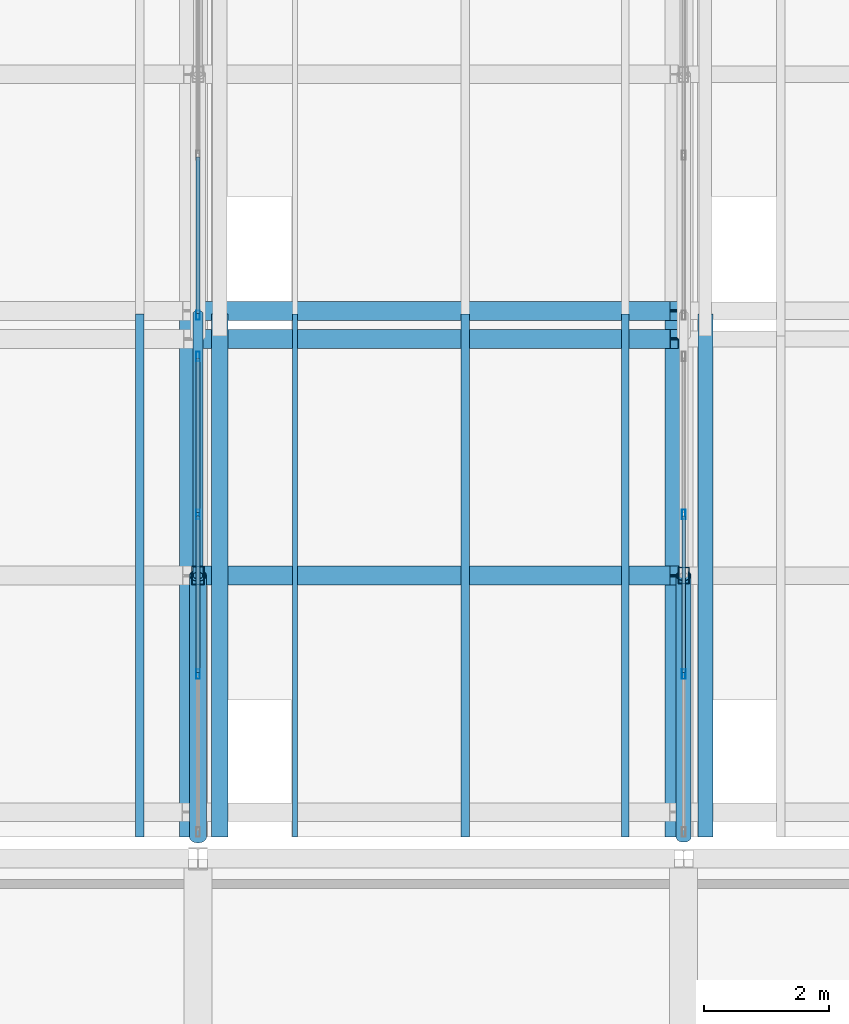
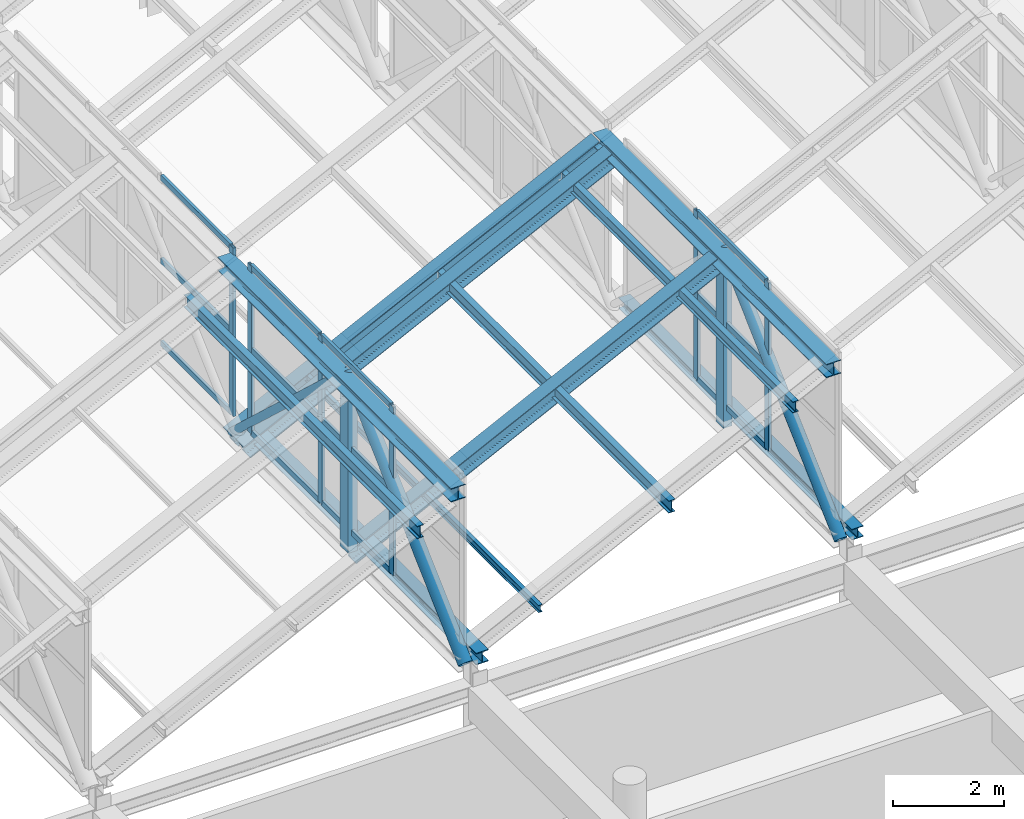
# One storey, part 33 of 101: 34 members, 3 elements without a shape of their own.
"""IFC4 building model written with IfcOpenShell, lengths in metres."""

from ifc_helpers import new_model, si_unit, direction, frame, origin, origin_2d, place, context, subcontext, project, spatial, hollow_rectangle, hollow_circle, i_section, extrude, material, layer, layer_set, material_profile, profile_set, type_object, element, aggregate, save


model = new_model("IFC4")

# Units and contexts
model_context = context("Model", 3, precision=1e-05, world=origin(), true_north=direction((0.0, 1.0)))
body_context = subcontext(model_context, "Body", "Model", "MODEL_VIEW")
ifc_project = project(units=[si_unit("LENGTHUNIT", "METRE"), si_unit("AREAUNIT", "SQUARE_METRE"), si_unit("VOLUMEUNIT", "CUBIC_METRE"), si_unit("PLANEANGLEUNIT", "RADIAN"), si_unit("MASSUNIT", "GRAM", prefix="KILO")], contexts=[model_context])

# Site, building, storey
site_placement = place(None, origin())
site = spatial("IfcSite", under=ifc_project, at=site_placement, CompositionType="ELEMENT")
building_placement = place(site_placement, origin())
building = spatial("IfcBuilding", under=site, at=building_placement, Name="Zizhar Promenade General Hospital", CompositionType="ELEMENT")
storey_placement = place(building_placement, frame((0.0, 0.0, 14.39990234375)))
storey = spatial("IfcBuildingStorey", under=building, at=storey_placement, Name="L03", CompositionType="ELEMENT", Elevation=14.39990234375)

# Curtain wall, members
ifc_material_1 = material(Name="Anodised aluminium 6063-T6 and low-E glass", Category="aluminium")
ifc_layer_1 = layer(ifc_material_1, 0.159912109375)
ifc_layer_set_1 = layer_set([ifc_layer_1], Name="Anodised aluminium 6063-T6 and low-E glass")
curtain_wall_type_1 = type_object("IfcCurtainWallType", Name="CW-SAW-NL1", PredefinedType="NOTDEFINED", material=ifc_layer_set_1)
curtain_wall_1_placement = place(storey_placement, origin())
curtain_wall_1 = element("IfcCurtainWall", 1, at=curtain_wall_1_placement, inside=storey, type_object=curtain_wall_type_1, Name="Sawtooth Clerestory Light B5-S1", PredefinedType="NOTDEFINED")
ifc_material_2 = material(Name="Anodised aluminium 6063-T6", Category="aluminium")
ifc_material_profile_1 = material_profile(ifc_material_2, hollow_rectangle(XDim=0.06005859375, YDim=0.14990234375, WallThickness=0.00390625, at=origin_2d()))
ifc_profile_set_1 = profile_set([ifc_material_profile_1], Name="Anodised aluminium 6063-T6")
member_type_1 = type_object("IfcMemberType", Name="CWM-ALU-150x60", PredefinedType="MULLION", material=ifc_profile_set_1)
member_1_placement = place(storey_placement, frame((109.199951171875, 28.166748046875, 3.85009765625), z_axis=(0.0, 0.0, 1.0), x_axis=(-1.0, 0.0, 0.0)))
member_1 = element("IfcMember", 2, at=member_1_placement, type_object=member_type_1, Name="CW-03 mullion 2", PredefinedType="MULLION", context=body_context, shape_type="SweptSolid", body=[
    extrude(hollow_rectangle(XDim=0.06005859375, YDim=0.14990234375, WallThickness=0.00390625, at=origin_2d()), origin(), (0.0, 0.0, 1.0), 3.699951171875),
])
member_2_placement = place(storey_placement, frame((109.199951171875, 30.7333984375, 3.85009765625), z_axis=(0.0, 0.0, 1.0), x_axis=(-1.0, 0.0, 0.0)))
member_2 = element("IfcMember", 3, at=member_2_placement, type_object=member_type_1, Name="CW-03 mullion 3", PredefinedType="MULLION", context=body_context, shape_type="SweptSolid", body=[
    extrude(hollow_rectangle(XDim=0.06005859375, YDim=0.14990234375, WallThickness=0.00390625, at=origin_2d()), origin(), (0.0, 0.0, 1.0), 3.699951171875),
])
member_3_placement = place(storey_placement, frame((109.199951171875, 33.27001953125, 3.85009765625), z_axis=(0.0, 0.0, 1.0), x_axis=(-1.0, 0.0, 0.0)))
member_3 = element("IfcMember", 4, at=member_3_placement, type_object=member_type_1, Name="CW-03 mullion 4", PredefinedType="MULLION", context=body_context, shape_type="SweptSolid", body=[
    extrude(hollow_rectangle(XDim=0.06005859375, YDim=0.14990234375, WallThickness=0.00390625, at=origin_2d()), origin(), (0.0, 0.0, 1.0), 3.699951171875),
])

# Curtain wall, member
ifc_material_3 = material(Name="Anodised aluminium 6063-T6 and low-E glass", Category="aluminium")
ifc_layer_2 = layer(ifc_material_3, 0.159912109375)
ifc_layer_set_2 = layer_set([ifc_layer_2], Name="Anodised aluminium 6063-T6 and low-E glass")
curtain_wall_type_2 = type_object("IfcCurtainWallType", Name="CW-SAW-NL2", PredefinedType="NOTDEFINED", material=ifc_layer_set_2)
curtain_wall_2_placement = place(storey_placement, origin())
curtain_wall_2 = element("IfcCurtainWall", 5, at=curtain_wall_2_placement, inside=storey, type_object=curtain_wall_type_2, Name="Sawtooth Clerestory Light B5-S2", PredefinedType="NOTDEFINED")
member_4_placement = place(storey_placement, frame((109.199951171875, 33.929931640625, 3.85009765625), z_axis=(0.0, 0.0, 1.0), x_axis=(-1.0, 0.0, 0.0)))
member_4 = element("IfcMember", 6, at=member_4_placement, type_object=member_type_1, Name="CW-04 mullion 1", PredefinedType="MULLION", context=body_context, shape_type="SweptSolid", body=[
    extrude(hollow_rectangle(XDim=0.06005859375, YDim=0.14990234375, WallThickness=0.00390625, at=origin_2d()), origin(), (0.0, 0.0, 1.0), 3.699951171875),
])

# Curtain wall, members
curtain_wall_3_placement = place(storey_placement, origin())
curtain_wall_3 = element("IfcCurtainWall", 7, at=curtain_wall_3_placement, inside=storey, type_object=curtain_wall_type_1, Name="Sawtooth Clerestory Light B6-S1", PredefinedType="NOTDEFINED")
member_5_placement = place(storey_placement, frame((117.0, 28.166748046875, 3.85009765625), z_axis=(0.0, 0.0, 1.0), x_axis=(-1.0, 0.0, 0.0)))
member_5 = element("IfcMember", 8, at=member_5_placement, type_object=member_type_1, Name="CW-03 mullion 2", PredefinedType="MULLION", context=body_context, shape_type="SweptSolid", body=[
    extrude(hollow_rectangle(XDim=0.06005859375, YDim=0.14990234375, WallThickness=0.00390625, at=origin_2d()), origin(), (0.0, 0.0, 1.0), 3.699951171875),
])
member_6_placement = place(storey_placement, frame((117.0, 30.7333984375, 3.85009765625), z_axis=(0.0, 0.0, 1.0), x_axis=(-1.0, 0.0, 0.0)))
member_6 = element("IfcMember", 9, at=member_6_placement, type_object=member_type_1, Name="CW-03 mullion 3", PredefinedType="MULLION", context=body_context, shape_type="SweptSolid", body=[
    extrude(hollow_rectangle(XDim=0.06005859375, YDim=0.14990234375, WallThickness=0.00390625, at=origin_2d()), origin(), (0.0, 0.0, 1.0), 3.699951171875),
])

# Member
ifc_material_4 = material(Name="Anodised aluminium 6063-T6", Category="aluminium")
ifc_material_profile_2 = material_profile(ifc_material_4, hollow_rectangle(XDim=0.06005859375, YDim=0.1201171875, WallThickness=0.00390625, at=origin_2d()))
ifc_profile_set_2 = profile_set([ifc_material_profile_2], Name="Anodised aluminium 6063-T6")
member_type_2 = type_object("IfcMemberType", Name="CWT-ALU-120x60", PredefinedType="USERDEFINED", material=ifc_profile_set_2)
member_7_placement = place(storey_placement, frame((109.199951171875, 28.19677734375, 3.880126953125), z_axis=(0.0, 1.0, 0.0), x_axis=(-1.0, 0.0, 0.0)))
member_7 = element("IfcMember", 10, at=member_7_placement, type_object=member_type_2, Name="CW-03 transom 2.1", ObjectType="TRANSOM", PredefinedType="USERDEFINED", context=body_context, shape_type="SweptSolid", body=[
    extrude(hollow_rectangle(XDim=0.06005859375, YDim=0.1201171875, WallThickness=0.00390625, at=origin_2d()), origin(), (0.0, 0.0, 1.0), 2.506591796875),
])

member_8_placement = place(storey_placement, frame((109.199951171875, 28.19677734375, 5.7001953125), z_axis=(0.0, 1.0, 0.0), x_axis=(-1.0, 0.0, 0.0)))
member_8 = element("IfcMember", 11, at=member_8_placement, type_object=member_type_2, Name="CW-03 transom 2.2", ObjectType="TRANSOM", PredefinedType="USERDEFINED", context=body_context, shape_type="SweptSolid", body=[
    extrude(hollow_rectangle(XDim=0.06005859375, YDim=0.1201171875, WallThickness=0.00390625, at=origin_2d()), origin(), (0.0, 0.0, 1.0), 2.506591796875),
])

member_9_placement = place(storey_placement, frame((109.199951171875, 28.19677734375, 7.52001953125), z_axis=(0.0, 1.0, 0.0), x_axis=(-1.0, 0.0, 0.0)))
member_9 = element("IfcMember", 12, at=member_9_placement, type_object=member_type_2, Name="CW-03 transom 2.3", ObjectType="TRANSOM", PredefinedType="USERDEFINED", context=body_context, shape_type="SweptSolid", body=[
    extrude(hollow_rectangle(XDim=0.06005859375, YDim=0.1201171875, WallThickness=0.00390625, at=origin_2d()), origin(), (0.0, 0.0, 1.0), 2.506591796875),
])

member_10_placement = place(storey_placement, frame((109.199951171875, 30.763427734375, 3.880126953125), z_axis=(0.0, 1.0, 0.0), x_axis=(-1.0, 0.0, 0.0)))
member_10 = element("IfcMember", 13, at=member_10_placement, type_object=member_type_2, Name="CW-03 transom 3.1", ObjectType="TRANSOM", PredefinedType="USERDEFINED", context=body_context, shape_type="SweptSolid", body=[
    extrude(hollow_rectangle(XDim=0.06005859375, YDim=0.1201171875, WallThickness=0.00390625, at=origin_2d()), origin(), (0.0, 0.0, 1.0), 2.4765625),
])

member_11_placement = place(storey_placement, frame((109.199951171875, 30.763427734375, 5.7001953125), z_axis=(0.0, 1.0, 0.0), x_axis=(-1.0, 0.0, 0.0)))
member_11 = element("IfcMember", 14, at=member_11_placement, type_object=member_type_2, Name="CW-03 transom 3.2", ObjectType="TRANSOM", PredefinedType="USERDEFINED", context=body_context, shape_type="SweptSolid", body=[
    extrude(hollow_rectangle(XDim=0.06005859375, YDim=0.1201171875, WallThickness=0.00390625, at=origin_2d()), origin(), (0.0, 0.0, 1.0), 2.4765625),
])

member_12_placement = place(storey_placement, frame((109.199951171875, 30.763427734375, 7.52001953125), z_axis=(0.0, 1.0, 0.0), x_axis=(-1.0, 0.0, 0.0)))
member_12 = element("IfcMember", 15, at=member_12_placement, type_object=member_type_2, Name="CW-03 transom 3.3", ObjectType="TRANSOM", PredefinedType="USERDEFINED", context=body_context, shape_type="SweptSolid", body=[
    extrude(hollow_rectangle(XDim=0.06005859375, YDim=0.1201171875, WallThickness=0.00390625, at=origin_2d()), origin(), (0.0, 0.0, 1.0), 2.4765625),
])

aggregate(curtain_wall_1, [member_1, member_2, member_3, member_7, member_8, member_9, member_10, member_11, member_12])

member_13_placement = place(storey_placement, frame((109.199951171875, 33.9599609375, 3.880126953125), z_axis=(0.0, 1.0, 0.0), x_axis=(-1.0, 0.0, 0.0)))
member_13 = element("IfcMember", 16, at=member_13_placement, type_object=member_type_2, Name="CW-04 transom 1.1", ObjectType="TRANSOM", PredefinedType="USERDEFINED", context=body_context, shape_type="SweptSolid", body=[
    extrude(hollow_rectangle(XDim=0.06005859375, YDim=0.1201171875, WallThickness=0.00390625, at=origin_2d()), origin(), (0.0, 0.0, 1.0), 2.510009765625),
])

member_14_placement = place(storey_placement, frame((109.199951171875, 33.9599609375, 5.7001953125), z_axis=(0.0, 1.0, 0.0), x_axis=(-1.0, 0.0, 0.0)))
member_14 = element("IfcMember", 17, at=member_14_placement, type_object=member_type_2, Name="CW-04 transom 1.2", ObjectType="TRANSOM", PredefinedType="USERDEFINED", context=body_context, shape_type="SweptSolid", body=[
    extrude(hollow_rectangle(XDim=0.06005859375, YDim=0.1201171875, WallThickness=0.00390625, at=origin_2d()), origin(), (0.0, 0.0, 1.0), 2.510009765625),
])

member_15_placement = place(storey_placement, frame((109.199951171875, 33.9599609375, 7.52001953125), z_axis=(0.0, 1.0, 0.0), x_axis=(-1.0, 0.0, 0.0)))
member_15 = element("IfcMember", 18, at=member_15_placement, type_object=member_type_2, Name="CW-04 transom 1.3", ObjectType="TRANSOM", PredefinedType="USERDEFINED", context=body_context, shape_type="SweptSolid", body=[
    extrude(hollow_rectangle(XDim=0.06005859375, YDim=0.1201171875, WallThickness=0.00390625, at=origin_2d()), origin(), (0.0, 0.0, 1.0), 2.510009765625),
])

aggregate(curtain_wall_2, [member_4, member_13, member_14, member_15])

member_16_placement = place(storey_placement, frame((117.0, 28.19677734375, 3.880126953125), z_axis=(0.0, 1.0, 0.0), x_axis=(-1.0, 0.0, 0.0)))
member_16 = element("IfcMember", 19, at=member_16_placement, type_object=member_type_2, Name="CW-03 transom 2.1", ObjectType="TRANSOM", PredefinedType="USERDEFINED", context=body_context, shape_type="SweptSolid", body=[
    extrude(hollow_rectangle(XDim=0.06005859375, YDim=0.1201171875, WallThickness=0.00390625, at=origin_2d()), origin(), (0.0, 0.0, 1.0), 2.506591796875),
])

member_17_placement = place(storey_placement, frame((117.0, 28.19677734375, 5.7001953125), z_axis=(0.0, 1.0, 0.0), x_axis=(-1.0, 0.0, 0.0)))
member_17 = element("IfcMember", 20, at=member_17_placement, type_object=member_type_2, Name="CW-03 transom 2.2", ObjectType="TRANSOM", PredefinedType="USERDEFINED", context=body_context, shape_type="SweptSolid", body=[
    extrude(hollow_rectangle(XDim=0.06005859375, YDim=0.1201171875, WallThickness=0.00390625, at=origin_2d()), origin(), (0.0, 0.0, 1.0), 2.506591796875),
])

member_18_placement = place(storey_placement, frame((117.0, 28.19677734375, 7.52001953125), z_axis=(0.0, 1.0, 0.0), x_axis=(-1.0, 0.0, 0.0)))
member_18 = element("IfcMember", 21, at=member_18_placement, type_object=member_type_2, Name="CW-03 transom 2.3", ObjectType="TRANSOM", PredefinedType="USERDEFINED", context=body_context, shape_type="SweptSolid", body=[
    extrude(hollow_rectangle(XDim=0.06005859375, YDim=0.1201171875, WallThickness=0.00390625, at=origin_2d()), origin(), (0.0, 0.0, 1.0), 2.506591796875),
])

aggregate(curtain_wall_3, [member_5, member_6, member_16, member_17, member_18])

# Members
ifc_material_5 = material(Name="Steel S355", Category="steel")
ifc_material_profile_3 = material_profile(ifc_material_5, i_section(OverallWidth=0.239990234375, OverallDepth=0.239990234375, WebThickness=0.010009765625, FlangeThickness=0.01708984375, FilletRadius=0.02099609375, at=origin_2d()))
ifc_profile_set_3 = profile_set([ifc_material_profile_3], Name="Steel S355")
member_type_3 = type_object("IfcMemberType", Name="MEM-CHORD-HEB240", PredefinedType="CHORD", material=ifc_profile_set_3)
member_19_placement = place(storey_placement, frame((117.35009765625, 25.550048828125, 3.47021484375), z_axis=(0.0, 1.0, 0.0), x_axis=(-1.0, 0.0, 0.0)))
element("IfcMember", 22, at=member_19_placement, inside=storey, type_object=member_type_3, Name="Sawtooth Bay 7 Valley Tie 1", PredefinedType="CHORD", context=body_context, shape_type="SweptSolid", body=[
    extrude(i_section(OverallWidth=0.239990234375, OverallDepth=0.239990234375, WebThickness=0.010009765625, FlangeThickness=0.01708984375, FilletRadius=0.02099609375, at=origin_2d()), origin(), (0.0, 0.0, 1.0), 8.39990234375),
])
ifc_material_6 = material(Name="Steel S355", Category="steel")
ifc_material_profile_4 = material_profile(ifc_material_6, i_section(OverallWidth=0.260009765625, OverallDepth=0.260009765625, WebThickness=0.010009765625, FlangeThickness=0.017578125, FilletRadius=0.02392578125, at=origin_2d()))
ifc_profile_set_4 = profile_set([ifc_material_profile_4], Name="Steel S355")
member_type_4 = type_object("IfcMemberType", Name="MEM-CHORD-HEB260", PredefinedType="CHORD", material=ifc_profile_set_4)
member_20_placement = place(storey_placement, frame((109.550048828125, 25.550048828125, 3.47021484375), z_axis=(0.0, 1.0, 0.0), x_axis=(-1.0, 0.0, 0.0)))
element("IfcMember", 23, at=member_20_placement, inside=storey, type_object=member_type_4, Name="Sawtooth Bay 6 Valley Tie 1", PredefinedType="CHORD", context=body_context, shape_type="SweptSolid", body=[
    extrude(i_section(OverallWidth=0.260009765625, OverallDepth=0.260009765625, WebThickness=0.010009765625, FlangeThickness=0.017578125, FilletRadius=0.02392578125, at=origin_2d()), origin(), (0.0, 0.0, 1.0), 8.39990234375),
])
ifc_material_7 = material(Name="Steel S355", Category="steel")
ifc_material_profile_5 = material_profile(ifc_material_7, i_section(OverallWidth=0.300048828125, OverallDepth=0.300048828125, WebThickness=0.010986328125, FlangeThickness=0.01904296875, FilletRadius=0.027099609375, at=origin_2d()))
ifc_profile_set_5 = profile_set([ifc_material_profile_5], Name="Steel S355")
member_type_5 = type_object("IfcMemberType", Name="MEM-CHORD-HEB300", PredefinedType="CHORD", material=ifc_profile_set_5)
for number, where, z_axis, x_axis, name in (
    (24, (109.050048828125, 25.550048828125, 7.25), (0.0, 1.0, 0.0), (-1.0, 0.0, 0.0), "Sawtooth Bay 5 Ridge Chord 1"),
    (25, (116.85009765625, 25.550048828125, 7.25), (0.0, 1.0, 0.0), (-1.0, 0.0, 0.0), "Sawtooth Bay 6 Ridge Chord 1"),
):
    element("IfcMember", number, at=place(storey_placement, frame(where, z_axis=z_axis, x_axis=x_axis)), inside=storey, type_object=member_type_5, Name=name, PredefinedType="CHORD", context=body_context, shape_type="SweptSolid", body=[
        extrude(i_section(OverallWidth=0.300048828125, OverallDepth=0.300048828125, WebThickness=0.010986328125, FlangeThickness=0.01904296875, FilletRadius=0.027099609375, at=origin_2d()), origin(), (0.0, 0.0, 1.0), 8.39990234375),
    ])
ifc_material_8 = material(Name="Steel S355", Category="steel")
ifc_material_profile_6 = material_profile(ifc_material_8, hollow_circle(Radius=0.084228515625, WallThickness=0.008056640625, at=origin_2d()))
ifc_profile_set_6 = profile_set([ifc_material_profile_6], Name="Steel S355")
member_type_6 = type_object("IfcMemberType", Name="MEM-DIAG-CHS168", PredefinedType="BRACE", material=ifc_profile_set_6)
member_21_placement = place(storey_placement, frame((109.199951171875, 33.949951171875, 3.4501953125), z_axis=(0.0, -0.732798043082, 0.680446197767), x_axis=(1.0, 0.0, 0.0)))
element("IfcMember", 26, at=member_21_placement, inside=storey, type_object=member_type_6, Name="Sawtooth Truss Frame 6 Diagonal B1", PredefinedType="BRACE", context=body_context, shape_type="SweptSolid", body=[
    extrude(hollow_circle(Radius=0.084228515625, WallThickness=0.008056640625, at=origin_2d()), origin(), (0.0, 0.0, 1.0), 5.7314453125),
])
ifc_material_9 = material(Name="Steel S355", Category="steel")
ifc_material_profile_7 = material_profile(ifc_material_9, hollow_circle(Radius=0.122314453125, WallThickness=0.010009765625, at=origin_2d()))
ifc_profile_set_7 = profile_set([ifc_material_profile_7], Name="Steel S355")
member_type_7 = type_object("IfcMemberType", Name="MEM-DIAG-CHS245", PredefinedType="BRACE", material=ifc_profile_set_7)
member_22_placement = place(storey_placement, frame((117.0, 25.550048828125, 3.4501953125), z_axis=(0.0, 0.732798043082, 0.680446197767), x_axis=(-1.0, 0.0, 0.0)))
element("IfcMember", 27, at=member_22_placement, inside=storey, type_object=member_type_7, Name="Sawtooth Truss Frame 7 Diagonal A1", PredefinedType="BRACE", context=body_context, shape_type="SweptSolid", body=[
    extrude(hollow_circle(Radius=0.122314453125, WallThickness=0.010009765625, at=origin_2d()), origin(), (0.0, 0.0, 1.0), 5.7314453125),
])
ifc_material_10 = material(Name="Steel S355", Category="steel")
ifc_material_profile_8 = material_profile(ifc_material_10, hollow_circle(Radius=0.136474609375, WallThickness=0.010009765625, at=origin_2d()))
ifc_profile_set_8 = profile_set([ifc_material_profile_8], Name="Steel S355")
member_type_8 = type_object("IfcMemberType", Name="MEM-DIAG-CHS273", PredefinedType="BRACE", material=ifc_profile_set_8)
member_23_placement = place(storey_placement, frame((109.199951171875, 25.550048828125, 3.4501953125), z_axis=(0.0, 0.732798043082, 0.680446197767), x_axis=(-1.0, 0.0, 0.0)))
element("IfcMember", 28, at=member_23_placement, inside=storey, type_object=member_type_8, Name="Sawtooth Truss Frame 6 Diagonal A1", PredefinedType="BRACE", context=body_context, shape_type="SweptSolid", body=[
    extrude(hollow_circle(Radius=0.136474609375, WallThickness=0.010009765625, at=origin_2d()), origin(), (0.0, 0.0, 1.0), 5.7314453125),
])
ifc_material_11 = material(Name="Steel S355", Category="steel")
ifc_material_profile_9 = material_profile(ifc_material_11, i_section(OverallWidth=0.08203125, OverallDepth=0.159912109375, WebThickness=0.0048828125, FlangeThickness=0.00732421875, FilletRadius=0.009033203125, at=origin_2d()))
ifc_profile_set_9 = profile_set([ifc_material_profile_9], Name="Steel S355")
member_type_9 = type_object("IfcMemberType", Name="MEM-PURL-IPE160", PredefinedType="PURLIN", material=ifc_profile_set_9)
member_24_placement = place(storey_placement, frame((110.760009765625, 25.550048828125, 4.1171875), z_axis=(0.0, 1.0, 0.0), x_axis=(-1.0, 0.0, 0.0)))
element("IfcMember", 29, at=member_24_placement, inside=storey, type_object=member_type_9, Name="Sawtooth Bay 6 Purlin 1-1", PredefinedType="PURLIN", context=body_context, shape_type="SweptSolid", body=[
    extrude(i_section(OverallWidth=0.08203125, OverallDepth=0.159912109375, WebThickness=0.0048828125, FlangeThickness=0.00732421875, FilletRadius=0.009033203125, at=origin_2d()), origin(), (0.0, 0.0, 1.0), 8.39990234375),
])
ifc_material_12 = material(Name="Steel S355", Category="steel")
ifc_material_profile_10 = material_profile(ifc_material_12, i_section(OverallWidth=0.1201171875, OverallDepth=0.239990234375, WebThickness=0.006103515625, FlangeThickness=0.009765625, FilletRadius=0.014892578125, at=origin_2d()))
ifc_profile_set_10 = profile_set([ifc_material_profile_10], Name="Steel S355")
member_type_10 = type_object("IfcMemberType", Name="MEM-PURL-IPE240", PredefinedType="PURLIN", material=ifc_profile_set_10)
member_25_placement = place(storey_placement, frame((116.06396484375, 25.550048828125, 6.695068359375), z_axis=(0.0, 1.0, 0.0), x_axis=(-1.0, 0.0, 0.0)))
element("IfcMember", 30, at=member_25_placement, inside=storey, type_object=member_type_10, Name="Sawtooth Bay 6 Purlin 1-3", PredefinedType="PURLIN", context=body_context, shape_type="SweptSolid", body=[
    extrude(i_section(OverallWidth=0.1201171875, OverallDepth=0.239990234375, WebThickness=0.006103515625, FlangeThickness=0.009765625, FilletRadius=0.014892578125, at=origin_2d()), origin(), (0.0, 0.0, 1.0), 8.39990234375),
])
ifc_material_13 = material(Name="Steel S355", Category="steel")
ifc_material_profile_11 = material_profile(ifc_material_13, i_section(OverallWidth=0.135009765625, OverallDepth=0.27001953125, WebThickness=0.006591796875, FlangeThickness=0.01025390625, FilletRadius=0.014892578125, at=origin_2d()))
ifc_profile_set_11 = profile_set([ifc_material_profile_11], Name="Steel S355")
member_type_11 = type_object("IfcMemberType", Name="MEM-PURL-IPE270", PredefinedType="PURLIN", material=ifc_profile_set_11)
for number, where, z_axis, x_axis, name in (
    (31, (108.263916015625, 25.550048828125, 6.68017578125), (0.0, 1.0, 0.0), (-1.0, 0.0, 0.0), "Sawtooth Bay 5 Purlin 1-3"),
    (32, (113.489990234375, 25.550048828125, 5.40966796875), (0.0, 1.0, 0.0), (-1.0, 0.0, 0.0), "Sawtooth Bay 6 Purlin 1-2"),
):
    element("IfcMember", number, at=place(storey_placement, frame(where, z_axis=z_axis, x_axis=x_axis)), inside=storey, type_object=member_type_11, Name=name, PredefinedType="PURLIN", context=body_context, shape_type="SweptSolid", body=[
        extrude(i_section(OverallWidth=0.135009765625, OverallDepth=0.27001953125, WebThickness=0.006591796875, FlangeThickness=0.01025390625, FilletRadius=0.014892578125, at=origin_2d()), origin(), (0.0, 0.0, 1.0), 8.39990234375),
    ])
ifc_material_14 = material(Name="Steel S355", Category="steel")
ifc_material_profile_12 = material_profile(ifc_material_14, i_section(OverallWidth=0.300048828125, OverallDepth=0.31005859375, WebThickness=0.009033203125, FlangeThickness=0.015380859375, FilletRadius=0.027099609375, at=origin_2d()))
ifc_profile_set_12 = profile_set([ifc_material_profile_12], Name="Steel S355")
member_type_12 = type_object("IfcMemberType", Name="MEM-RAFT-HEA320", PredefinedType="RAFTER", material=ifc_profile_set_12)
member_26_placement = place(storey_placement, frame((109.199951171875, 33.550048828125, 3.3203125), z_axis=(0.896710487916, 0.0, 0.442617555979), x_axis=(0.0, 1.0, 0.0)))
element("IfcMember", 33, at=member_26_placement, inside=storey, type_object=member_type_12, Name="Sawtooth Bay 6 Rafter 1-3", PredefinedType="RAFTER", context=body_context, shape_type="SweptSolid", body=[
    extrude(i_section(OverallWidth=0.300048828125, OverallDepth=0.31005859375, WebThickness=0.009033203125, FlangeThickness=0.015380859375, FilletRadius=0.027099609375, at=origin_2d()), origin(), (0.0, 0.0, 1.0), 8.53125),
])
ifc_material_15 = material(Name="Steel S355", Category="steel")
ifc_material_profile_13 = material_profile(ifc_material_15, i_section(OverallWidth=0.300048828125, OverallDepth=0.330078125, WebThickness=0.009521484375, FlangeThickness=0.0166015625, FilletRadius=0.027099609375, at=origin_2d()))
ifc_profile_set_13 = profile_set([ifc_material_profile_13], Name="Steel S355")
member_type_13 = type_object("IfcMemberType", Name="MEM-RAFT-HEA340", PredefinedType="RAFTER", material=ifc_profile_set_13)
for number, where, z_axis, x_axis, name in (
    (34, (109.199951171875, 29.75, 3.30908203125), (0.896710487916, 0.0, 0.442617555979), (0.0, 1.0, 0.0), "Sawtooth Bay 6 Rafter 1-2"),
    (35, (109.199951171875, 34.0, 3.30908203125), (0.896710487916, 0.0, 0.442617555979), (0.0, 1.0, 0.0), "Sawtooth Bay 6 Rafter 2-1"),
):
    element("IfcMember", number, at=place(storey_placement, frame(where, z_axis=z_axis, x_axis=x_axis)), inside=storey, type_object=member_type_13, Name=name, PredefinedType="RAFTER", context=body_context, shape_type="SweptSolid", body=[
        extrude(i_section(OverallWidth=0.300048828125, OverallDepth=0.330078125, WebThickness=0.009521484375, FlangeThickness=0.0166015625, FilletRadius=0.027099609375, at=origin_2d()), origin(), (0.0, 0.0, 1.0), 8.53125),
    ])
ifc_material_16 = material(Name="Steel S355", Category="steel")
ifc_material_profile_14 = material_profile(ifc_material_16, hollow_rectangle(XDim=0.179931640625, YDim=0.260009765625, WallThickness=0.008056640625, at=origin_2d()))
ifc_profile_set_14 = profile_set([ifc_material_profile_14], Name="Steel S355")
member_type_14 = type_object("IfcMemberType", Name="MEM-STRUT-RHS260", PredefinedType="STRUT", material=ifc_profile_set_14)
member_27_placement = place(storey_placement, frame((117.0, 29.75, 3.4501953125), z_axis=(0.0, 0.0, 1.0), x_axis=(1.0, 0.0, 0.0)))
element("IfcMember", 36, at=member_27_placement, inside=storey, type_object=member_type_14, Name="Sawtooth Truss Frame 7 Vertical Post 1", PredefinedType="STRUT", context=body_context, shape_type="SweptSolid", body=[
    extrude(hollow_rectangle(XDim=0.179931640625, YDim=0.260009765625, WallThickness=0.008056640625, at=origin_2d()), origin(), (0.0, 0.0, 1.0), 3.89990234375),
])
ifc_material_17 = material(Name="Steel S355", Category="steel")
ifc_material_profile_15 = material_profile(ifc_material_17, hollow_rectangle(XDim=0.199951171875, YDim=0.300048828125, WallThickness=0.010009765625, at=origin_2d()))
ifc_profile_set_15 = profile_set([ifc_material_profile_15], Name="Steel S355")
member_type_15 = type_object("IfcMemberType", Name="MEM-STRUT-RHS300", PredefinedType="STRUT", material=ifc_profile_set_15)
member_28_placement = place(storey_placement, frame((109.199951171875, 29.75, 3.4501953125), z_axis=(0.0, 0.0, 1.0), x_axis=(1.0, 0.0, 0.0)))
element("IfcMember", 37, at=member_28_placement, inside=storey, type_object=member_type_15, Name="Sawtooth Truss Frame 6 Vertical Post 1", PredefinedType="STRUT", context=body_context, shape_type="SweptSolid", body=[
    extrude(hollow_rectangle(XDim=0.199951171875, YDim=0.300048828125, WallThickness=0.010009765625, at=origin_2d()), origin(), (0.0, 0.0, 1.0), 3.89990234375),
])

save(model, "model.ifc")
